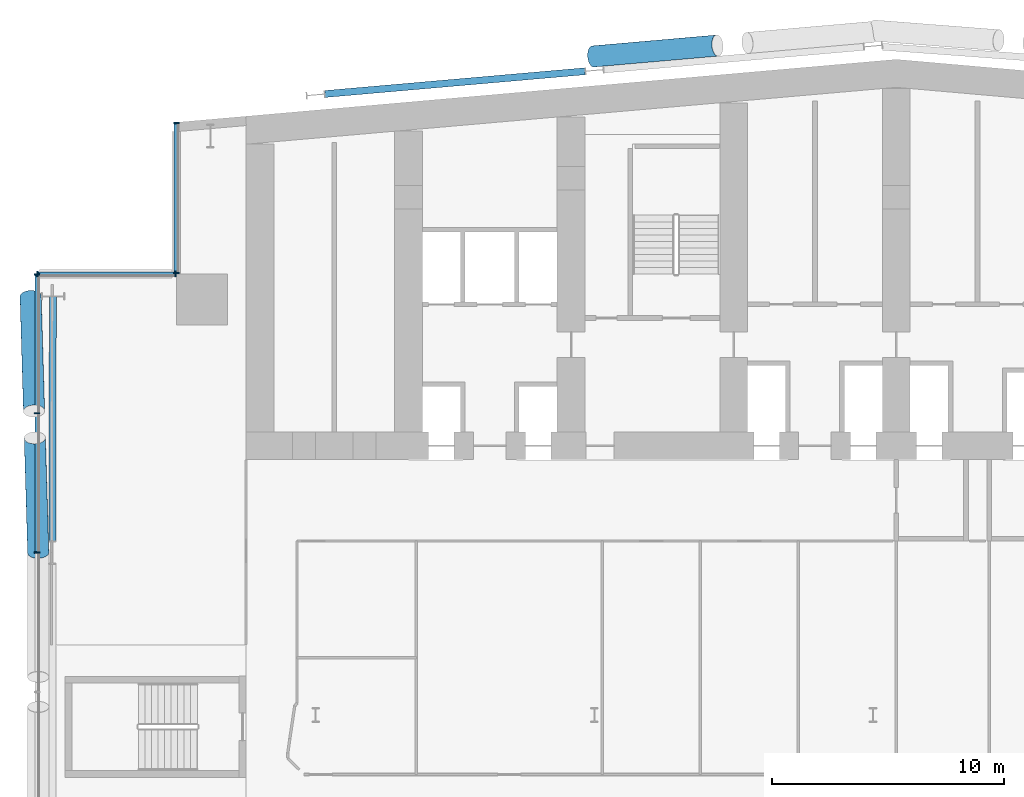
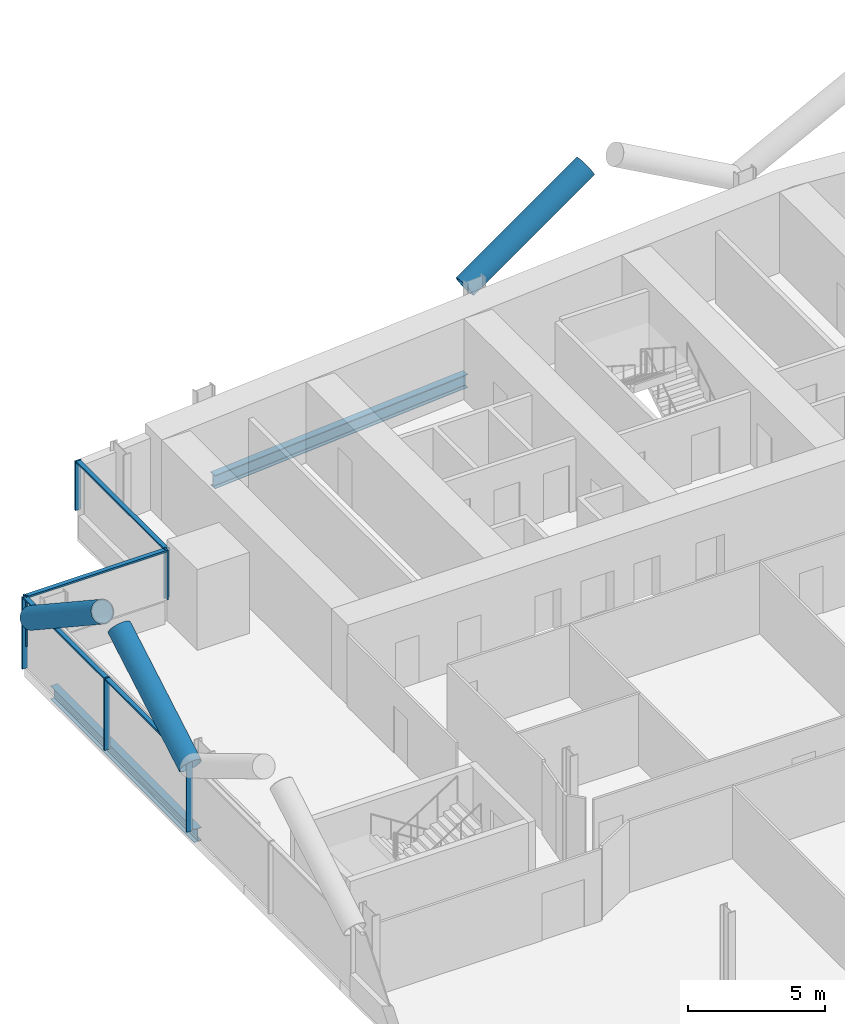
# One storey, part 7 of 28: 14 members, 2 beams, 3 elements without a shape of their own.
"""IFC4 building model written with IfcOpenShell, lengths in metres."""

from ifc_helpers import new_model, si_unit, direction, frame, origin, origin_2d, place, context, subcontext, project, spatial, rectangle, hollow_circle, i_section, extrude, material, material_profile, profile_set, type_object, element, aggregate, save


model = new_model("IFC4")

# Units and contexts
model_context = context("Model", 3, precision=1e-05, world=origin(), true_north=direction((0.0, 1.0)))
body_context = subcontext(model_context, "Body", "Model", "MODEL_VIEW")
ifc_project = project(units=[si_unit("LENGTHUNIT", "METRE"), si_unit("AREAUNIT", "SQUARE_METRE"), si_unit("VOLUMEUNIT", "CUBIC_METRE"), si_unit("PLANEANGLEUNIT", "RADIAN"), si_unit("MASSUNIT", "GRAM", prefix="KILO")], contexts=[model_context])

# Site, building, storey
site_placement = place(None, origin())
site = spatial("IfcSite", under=ifc_project, at=site_placement, CompositionType="ELEMENT")
building_placement = place(site_placement, origin())
building = spatial("IfcBuilding", under=site, at=building_placement, Name="Wharfspan Tower", CompositionType="ELEMENT")
storey_placement = place(building_placement, frame((0.0, 0.0, 59.5)))
storey = spatial("IfcBuildingStorey", under=building, at=storey_placement, Name="L11", CompositionType="ELEMENT", Elevation=59.5)

# Beams
ifc_material_1 = material(Name="Steel S355J2", Category="steel")
ifc_material_profile_1 = material_profile(ifc_material_1, i_section(OverallWidth=0.300049, OverallDepth=0.600098, WebThickness=0.015381, FlangeThickness=0.030029, FilletRadius=0.0271, at=origin_2d()))
ifc_profile_set_1 = profile_set([ifc_material_profile_1], Name="Steel S355J2")
beam_type = type_object("IfcBeamType", Name="Edge beam HEB 600", PredefinedType="SPANDREL", material=ifc_profile_set_1)
beam_1_placement = place(storey_placement, frame((23.598633, 50.724609, -0.699951), z_axis=(-0.996194, -0.087165, 0.0), x_axis=(0.087165, -0.996194, 0.0)))
element("IfcBeam", 1, at=beam_1_placement, inside=storey, type_object=beam_type, Name="Edge beam N1 L11 R.2 to R.1", PredefinedType="SPANDREL", context=body_context, shape_type="SweptSolid", body=[
    extrude(i_section(OverallWidth=0.300049, OverallDepth=0.600098, WebThickness=0.015381, FlangeThickness=0.030029, FilletRadius=0.0271, at=origin_2d()), origin(), (0.0, 0.0, 1.0), 11.23999),
])
beam_2_placement = place(storey_placement, frame((0.684814, 41.027832, -0.699951), z_axis=(-0.002249, -0.999997, 0.0), x_axis=(0.999997, -0.002249, 0.0)))
element("IfcBeam", 2, at=beam_2_placement, inside=storey, type_object=beam_type, Name="Edge beam W L11 PNRW-H.1 to PW.1", PredefinedType="SPANDREL", context=body_context, shape_type="SweptSolid", body=[
    extrude(i_section(OverallWidth=0.300049, OverallDepth=0.600098, WebThickness=0.015381, FlangeThickness=0.030029, FilletRadius=0.0271, at=origin_2d()), origin(), (0.0, 0.0, 1.0), 10.527832),
])

# Curtain wall, members
ifc_material_2 = material(Name="Aluminium 6063-T6", Category="aluminium")
curtain_wall_type = type_object("IfcCurtainWallType", Name="CURTAIN WALL PROW AND END", PredefinedType="NOTDEFINED", material=ifc_material_2)
curtain_wall_1_placement = place(storey_placement, origin())
curtain_wall_1 = element("IfcCurtainWall", 3, at=curtain_wall_1_placement, inside=storey, type_object=curtain_wall_type, Name="Curtain wall NRW-V", PredefinedType="NOTDEFINED")
ifc_material_profile_2 = material_profile(ifc_material_2, rectangle(XDim=0.23999, YDim=0.060059, at=origin_2d()))
ifc_profile_set_2 = profile_set([ifc_material_profile_2], Name="Aluminium 6063-T6")
member_type_1 = type_object("IfcMemberType", Name="MULLION PROW AND END 60x240", PredefinedType="MULLION", material=ifc_profile_set_2)
member_1_placement = place(storey_placement, frame((6.0, 48.494873, 1.0), z_axis=(0.0, 0.0, 1.0), x_axis=(1.0, 0.0, 0.0)))
member_1 = element("IfcMember", 4, at=member_1_placement, type_object=member_type_1, Name="Curtain wall NRW-V mullion 1", PredefinedType="MULLION", context=body_context, shape_type="SweptSolid", body=[
    extrude(rectangle(XDim=0.23999, YDim=0.060059, at=origin_2d()), origin(), (0.0, 0.0, 1.0), 2.199951),
])
member_2_placement = place(storey_placement, frame((6.0, 42.030029, 1.0), z_axis=(0.0, 0.0, 1.0), x_axis=(1.0, 0.0, 0.0)))
member_2 = element("IfcMember", 5, at=member_2_placement, type_object=member_type_1, Name="Curtain wall NRW-V mullion 2", PredefinedType="MULLION", context=body_context, shape_type="SweptSolid", body=[
    extrude(rectangle(XDim=0.23999, YDim=0.060059, at=origin_2d()), origin(), (0.0, 0.0, 1.0), 2.199951),
])

curtain_wall_2_placement = place(storey_placement, origin())
curtain_wall_2 = element("IfcCurtainWall", 6, at=curtain_wall_2_placement, inside=storey, type_object=curtain_wall_type, Name="Curtain wall NRW-H", PredefinedType="NOTDEFINED")
member_3_placement = place(storey_placement, frame((5.969971, 42.0, 1.0), z_axis=(0.0, 0.0, 1.0), x_axis=(0.0, -1.0, 0.0)))
member_3 = element("IfcMember", 7, at=member_3_placement, type_object=member_type_1, Name="Curtain wall NRW-H mullion 1", PredefinedType="MULLION", context=body_context, shape_type="SweptSolid", body=[
    extrude(rectangle(XDim=0.23999, YDim=0.060059, at=origin_2d()), origin(), (0.0, 0.0, 1.0), 2.199951),
])
member_4_placement = place(storey_placement, frame((0.030029, 42.0, 1.0), z_axis=(0.0, 0.0, 1.0), x_axis=(0.0, -1.0, 0.0)))
member_4 = element("IfcMember", 8, at=member_4_placement, type_object=member_type_1, Name="Curtain wall NRW-H mullion 2", PredefinedType="MULLION", context=body_context, shape_type="SweptSolid", body=[
    extrude(rectangle(XDim=0.23999, YDim=0.060059, at=origin_2d()), origin(), (0.0, 0.0, 1.0), 2.199951),
])

curtain_wall_3_placement = place(storey_placement, origin())
curtain_wall_3 = element("IfcCurtainWall", 9, at=curtain_wall_3_placement, inside=storey, type_object=curtain_wall_type, Name="Curtain wall W", PredefinedType="NOTDEFINED")
member_5_placement = place(storey_placement, frame((0.0, 41.969971, 0.0), z_axis=(0.0, 0.0, 1.0), x_axis=(1.0, 0.0, 0.0)))
member_5 = element("IfcMember", 10, at=member_5_placement, type_object=member_type_1, Name="Curtain wall W mullion 1", PredefinedType="MULLION", context=body_context, shape_type="SweptSolid", body=[
    extrude(rectangle(XDim=0.23999, YDim=0.060059, at=origin_2d()), origin(), (0.0, 0.0, 1.0), 3.199951),
])
member_6_placement = place(storey_placement, frame((0.0, 36.0, 0.0), z_axis=(0.0, 0.0, 1.0), x_axis=(1.0, 0.0, 0.0)))
member_6 = element("IfcMember", 11, at=member_6_placement, type_object=member_type_1, Name="Curtain wall W mullion 2", PredefinedType="MULLION", context=body_context, shape_type="SweptSolid", body=[
    extrude(rectangle(XDim=0.23999, YDim=0.060059, at=origin_2d()), origin(), (0.0, 0.0, 1.0), 3.199951),
])
member_7_placement = place(storey_placement, frame((0.0, 30.0, 0.0), z_axis=(0.0, 0.0, 1.0), x_axis=(1.0, 0.0, 0.0)))
member_7 = element("IfcMember", 12, at=member_7_placement, type_object=member_type_1, Name="Curtain wall W mullion 3", PredefinedType="MULLION", context=body_context, shape_type="SweptSolid", body=[
    extrude(rectangle(XDim=0.23999, YDim=0.060059, at=origin_2d()), origin(), (0.0, 0.0, 1.0), 3.199951),
])

# Members
ifc_material_3 = material(Name="Steel S460NH", Category="steel")
ifc_material_profile_3 = material_profile(ifc_material_3, hollow_circle(Radius=0.457031, WallThickness=0.040039, at=origin_2d()))
ifc_profile_set_3 = profile_set([ifc_material_profile_3], Name="Steel S460NH")
member_type_2 = type_object("IfcMemberType", Name="Mega brace CHS 914x40", PredefinedType="BRACE", material=ifc_profile_set_3)
for number, where, z_axis, x_axis, name in (
    (13, (-0.273193, 41.03418, 2.899902), (0.0249, -0.837221, 0.546298), (0.999556, 0.02973, 3e-06), "Mega brace W4 L12 part 1"),
    (14, (0.054932, 30.0, 2.899902), (-0.0249, 0.837221, 0.546298), (-0.999556, -0.02973, 3e-06), "Mega brace W4 L12 part 3"),
):
    element("IfcMember", number, at=place(storey_placement, frame(where, z_axis=z_axis, x_axis=x_axis)), inside=storey, type_object=member_type_2, Name=name, PredefinedType="BRACE", context=body_context, shape_type="SweptSolid", body=[
        extrude(hollow_circle(Radius=0.457031, WallThickness=0.040039, at=origin_2d()), origin(), (0.0, 0.0, 1.0), 5.892822),
    ])
member_8_placement = place(storey_placement, frame((23.947266, 51.363037, 2.899902), z_axis=(0.855094, 0.074809, 0.513048), x_axis=(-0.087154, 0.996195, 1e-06)))
element("IfcMember", 15, at=member_8_placement, inside=storey, type_object=member_type_2, Name="Mega brace N7 L12 part 1", PredefinedType="BRACE", context=body_context, shape_type="SweptSolid", body=[
    extrude(hollow_circle(Radius=0.457031, WallThickness=0.040039, at=origin_2d()), origin(), (0.0, 0.0, 1.0), 6.256104),
])

# Member
ifc_material_profile_4 = material_profile(ifc_material_2, rectangle(XDim=0.179932, YDim=0.080078, at=origin_2d()))
ifc_profile_set_4 = profile_set([ifc_material_profile_4], Name="Aluminium 6063-T6")
member_type_3 = type_object("IfcMemberType", Name="TRANSOM PROW AND END 80x180", PredefinedType="USERDEFINED", material=ifc_profile_set_4)
member_9_placement = place(storey_placement, frame((6.0, 48.464844, 3.159912), z_axis=(0.0, -1.0, 0.0), x_axis=(1.0, 0.0, 0.0)))
member_9 = element("IfcMember", 16, at=member_9_placement, type_object=member_type_3, Name="Curtain wall NRW-V transom 1", ObjectType="TRANSOM", PredefinedType="USERDEFINED", context=body_context, shape_type="SweptSolid", body=[
    extrude(rectangle(XDim=0.179932, YDim=0.080078, at=origin_2d()), origin(), (0.0, 0.0, 1.0), 6.404785),
])

aggregate(curtain_wall_1, [member_1, member_2, member_9])

member_10_placement = place(storey_placement, frame((5.939941, 42.0, 3.159912), z_axis=(-1.0, 0.0, 0.0), x_axis=(0.0, -1.0, 0.0)))
member_10 = element("IfcMember", 17, at=member_10_placement, type_object=member_type_3, Name="Curtain wall NRW-H transom 1", ObjectType="TRANSOM", PredefinedType="USERDEFINED", context=body_context, shape_type="SweptSolid", body=[
    extrude(rectangle(XDim=0.179932, YDim=0.080078, at=origin_2d()), origin(), (0.0, 0.0, 1.0), 5.879883),
])

aggregate(curtain_wall_2, [member_3, member_4, member_10])

member_11_placement = place(storey_placement, frame((0.0, 41.939941, 3.159912), z_axis=(0.0, -1.0, 0.0), x_axis=(1.0, 0.0, 0.0)))
member_11 = element("IfcMember", 18, at=member_11_placement, type_object=member_type_3, Name="Curtain wall W transom 1", ObjectType="TRANSOM", PredefinedType="USERDEFINED", context=body_context, shape_type="SweptSolid", body=[
    extrude(rectangle(XDim=0.179932, YDim=0.080078, at=origin_2d()), origin(), (0.0, 0.0, 1.0), 5.909912),
])

member_12_placement = place(storey_placement, frame((0.0, 35.969971, 3.159912), z_axis=(0.0, -1.0, 0.0), x_axis=(1.0, 0.0, 0.0)))
member_12 = element("IfcMember", 19, at=member_12_placement, type_object=member_type_3, Name="Curtain wall W transom 2", ObjectType="TRANSOM", PredefinedType="USERDEFINED", context=body_context, shape_type="SweptSolid", body=[
    extrude(rectangle(XDim=0.179932, YDim=0.080078, at=origin_2d()), origin(), (0.0, 0.0, 1.0), 5.939941),
])

aggregate(curtain_wall_3, [member_5, member_6, member_7, member_11, member_12])

save(model, "model.ifc")
